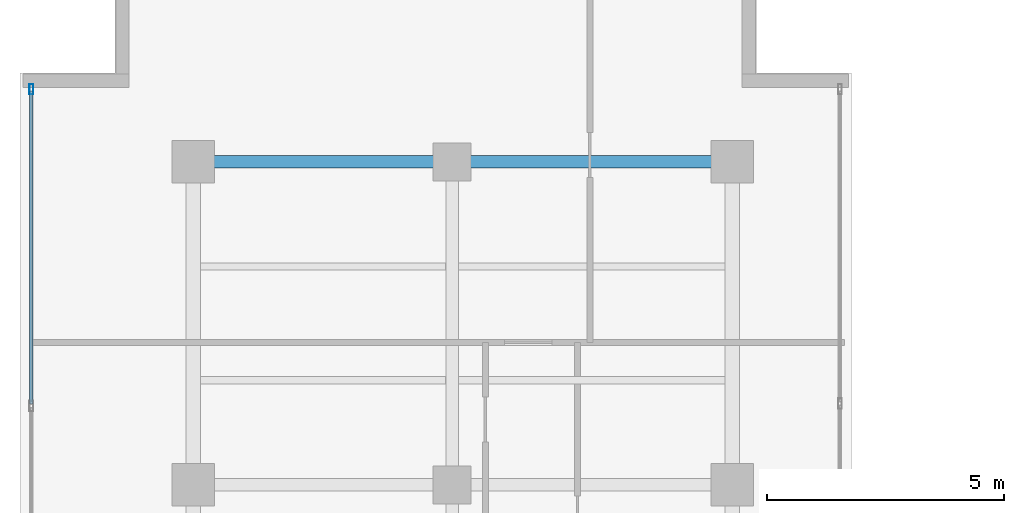
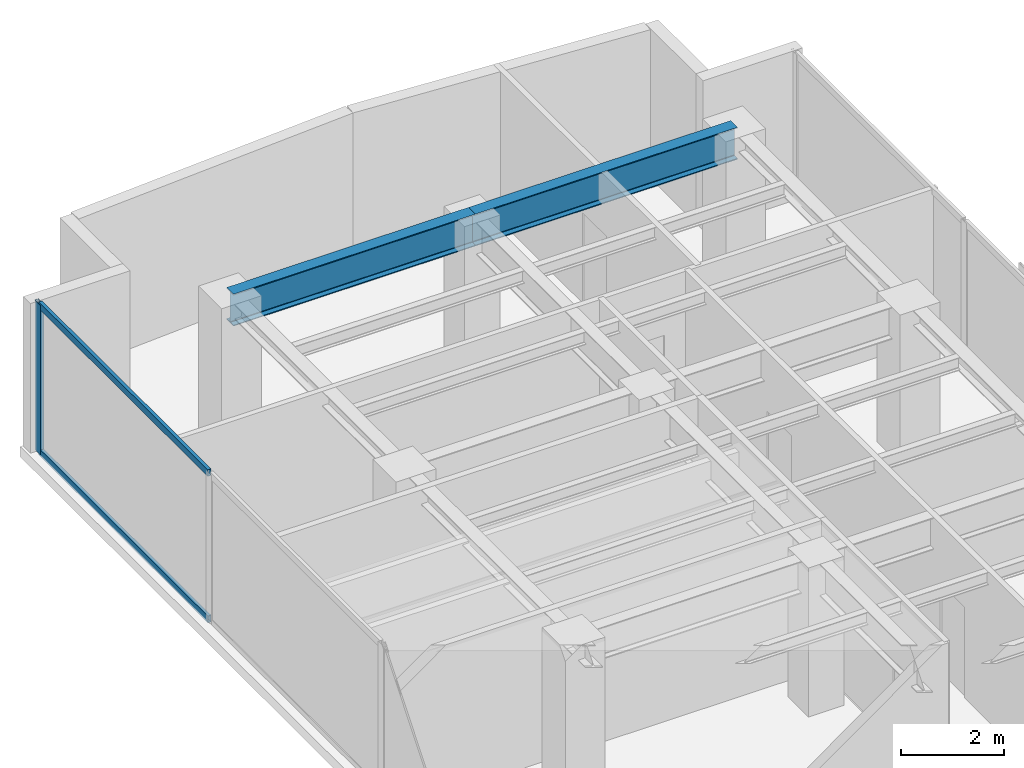
# One storey, part 14 of 23: 3 members, 2 beams, 1 element without a shape of its own.
"""IFC4 building model written with IfcOpenShell, lengths in metres."""

from ifc_helpers import new_model, si_unit, direction, frame, origin, origin_with_axes, origin_2d, place, context, subcontext, project, spatial, hollow_rectangle, i_section, extrude, source, transform, mapped, material, layer, layer_set, material_profile, profile_set, type_object, element, aggregate, save


model = new_model("IFC4")

# Units and contexts
model_context = context("Model", 3, precision=1e-05, world=origin(), true_north=direction((0.0, 1.0)))
body_context = subcontext(model_context, "Body", "Model", "MODEL_VIEW")
ifc_project = project(units=[si_unit("LENGTHUNIT", "METRE"), si_unit("AREAUNIT", "SQUARE_METRE"), si_unit("VOLUMEUNIT", "CUBIC_METRE"), si_unit("PLANEANGLEUNIT", "RADIAN"), si_unit("MASSUNIT", "GRAM", prefix="KILO")], contexts=[model_context])

# Site, building, storey
site_placement = place(None, origin())
site = spatial("IfcSite", under=ifc_project, at=site_placement, CompositionType="ELEMENT")
building_placement = place(site_placement, origin())
building = spatial("IfcBuilding", under=site, at=building_placement, Name="Kolvaren Waterfront Exchange", CompositionType="ELEMENT")
storey_placement = place(building_placement, frame((0.0, 0.0, 297.0)))
storey = spatial("IfcBuildingStorey", under=building, at=storey_placement, Name="L76", CompositionType="ELEMENT", Elevation=297.0)

# Beams
ifc_material_1 = material(Name="Steel S355", Category="steel")
ifc_material_profile_1 = material_profile(ifc_material_1, i_section(OverallWidth=0.26708984375, OverallDepth=0.761962890625, WebThickness=0.014404296875, FlangeThickness=0.021484375, FilletRadius=0.01708984375, at=origin_2d()), Name="IPE750x173")
ifc_profile_set_1 = profile_set([ifc_material_profile_1], Name="Steel S355")
beam_type = type_object("IfcBeamType", Name="STR-BM-IPE750", PredefinedType="BEAM", material=ifc_profile_set_1)
beam_1_placement = place(storey_placement, frame((7.449951171875, 44.60009765625, 3.178955078125), z_axis=(1.0, 0.0, 0.0), x_axis=(0.0, 1.0, 0.0)))
element("IfcBeam", 1, at=beam_1_placement, inside=storey, type_object=beam_type, Name="L76 north-arm girder 4A", PredefinedType="BEAM", context=body_context, shape_type="SweptSolid", body=[
    extrude(i_section(OverallWidth=0.26708984375, OverallDepth=0.761962890625, WebThickness=0.014404296875, FlangeThickness=0.021484375, FilletRadius=0.01708984375, at=origin_2d()), origin(), (0.0, 0.0, 1.0), 5.449951171875),
])
beam_2_placement = place(storey_placement, frame((12.89990234375, 44.60009765625, 3.178955078125), z_axis=(1.0, 0.0, 0.0), x_axis=(0.0, 1.0, 0.0)))
element("IfcBeam", 2, at=beam_2_placement, inside=storey, type_object=beam_type, Name="L76 north-arm girder 4B", PredefinedType="BEAM", context=body_context, shape_type="SweptSolid", body=[
    extrude(i_section(OverallWidth=0.26708984375, OverallDepth=0.761962890625, WebThickness=0.014404296875, FlangeThickness=0.021484375, FilletRadius=0.01708984375, at=origin_2d()), origin(), (0.0, 0.0, 1.0), 5.900146484375),
])

# Curtain wall, members
ifc_material_2 = material(Name="Anodised aluminium 6063-T6", Category="aluminium")
ifc_layer = layer(ifc_material_2, 0.219970703125, Name="Anodised aluminium 6063-T6")
ifc_layer_set = layer_set([ifc_layer], Name="Anodised aluminium 6063-T6")
curtain_wall_type = type_object("IfcCurtainWallType", Name="ARC-CW-SYS2", PredefinedType="USERDEFINED", material=ifc_layer_set)
curtain_wall_placement = place(storey_placement, origin())
curtain_wall = element("IfcCurtainWall", 3, at=curtain_wall_placement, inside=storey, type_object=curtain_wall_type, Name="L76 stick curtain wall CW2 (CW-L76-W)", ObjectType="STICK CURTAIN WALL", PredefinedType="USERDEFINED")
ifc_material_profile_2 = material_profile(ifc_material_2, hollow_rectangle(XDim=0.080078125, YDim=0.219970703125, WallThickness=0.0048828125, at=origin_2d()), Name="ALU-MUL-220x80x5")
ifc_profile_set_2 = profile_set([ifc_material_profile_2], Name="Anodised aluminium 6063-T6")
member_type_1 = type_object("IfcMemberType", Name="ARC-CWM-220", PredefinedType="MULLION", material=ifc_profile_set_2)
shared_shape_1 = source(origin_with_axes(), body_context, "Body", "SweptSolid", [
    extrude(hollow_rectangle(XDim=0.080078125, YDim=0.219970703125, WallThickness=0.0048828125, at=origin_2d()), origin(), (0.0, 0.0, 1.0), 3.56005859375),
])
member_1_placement = place(storey_placement, frame((4.0400390625, 46.12841796875, 0.0), z_axis=(0.0, 0.0, 1.0), x_axis=(-1.0, 0.0, 0.0)))
member_1 = element("IfcMember", 4, at=member_1_placement, type_object=member_type_1, Name="CW2 mullion 7", PredefinedType="MULLION", context=body_context, shape_type="MappedRepresentation", body=[
    mapped(shared_shape_1, transform((0.0, 0.0, 0.0), x_axis=(1.0, 0.0, 0.0), y_axis=(0.0, 1.0, 0.0), z_axis=(0.0, 0.0, 1.0), scale=1.0)),
])
ifc_material_profile_3 = material_profile(ifc_material_2, hollow_rectangle(XDim=0.074951171875, YDim=0.159912109375, WallThickness=0.00439453125, at=origin_2d()), Name="ALU-TRN-160x75x4.5")
ifc_profile_set_3 = profile_set([ifc_material_profile_3], Name="Anodised aluminium 6063-T6")
member_type_2 = type_object("IfcMemberType", Name="ARC-CWT-160", PredefinedType="USERDEFINED", material=ifc_profile_set_3)
shared_shape_2 = source(origin_with_axes(), body_context, "Body", "SweptSolid", [
    extrude(hollow_rectangle(XDim=0.074951171875, YDim=0.159912109375, WallThickness=0.00439453125, at=origin_2d()), origin(), (0.0, 0.0, 1.0), 6.59130859375),
])
member_2_placement = place(storey_placement, frame((4.0400390625, 39.4970703125, 0.03759765625), z_axis=(0.0, 1.0, 0.0), x_axis=(-1.0, 0.0, 0.0)))
member_2 = element("IfcMember", 5, at=member_2_placement, type_object=member_type_2, Name="CW2 transom 6.1", ObjectType="TRANSOM", PredefinedType="USERDEFINED", context=body_context, shape_type="MappedRepresentation", body=[
    mapped(shared_shape_2, transform((0.0, 0.0, 0.0), x_axis=(1.0, 0.0, 0.0), y_axis=(0.0, 1.0, 0.0), z_axis=(0.0, 0.0, 1.0), scale=1.0)),
])
member_3_placement = place(storey_placement, frame((4.0400390625, 39.4970703125, 3.5224609375), z_axis=(0.0, 1.0, 0.0), x_axis=(-1.0, 0.0, 0.0)))
member_3 = element("IfcMember", 6, at=member_3_placement, type_object=member_type_2, Name="CW2 transom 6.2", ObjectType="TRANSOM", PredefinedType="USERDEFINED", context=body_context, shape_type="MappedRepresentation", body=[
    mapped(shared_shape_2, transform((0.0, 0.0, 0.0), x_axis=(1.0, 0.0, 0.0), y_axis=(0.0, 1.0, 0.0), z_axis=(0.0, 0.0, 1.0), scale=1.0)),
])
aggregate(curtain_wall, [member_1, member_2, member_3])

save(model, "model.ifc")
